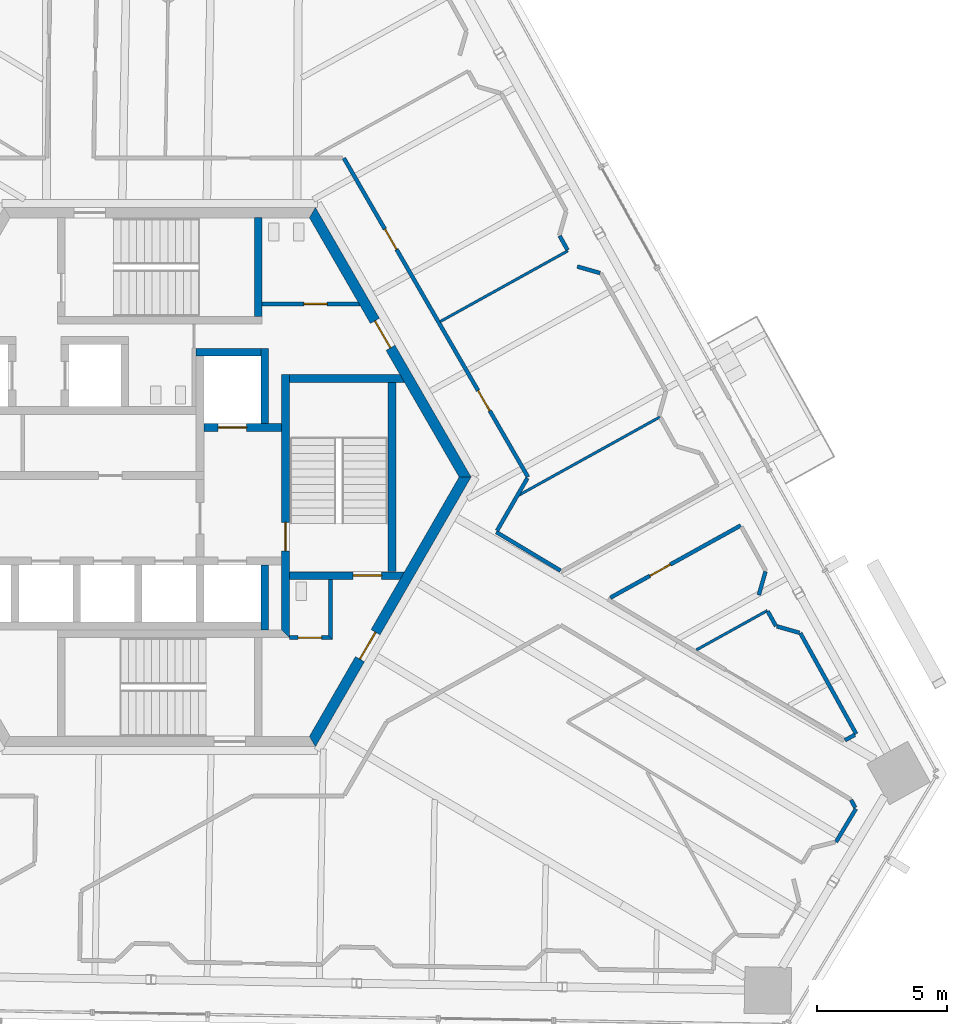
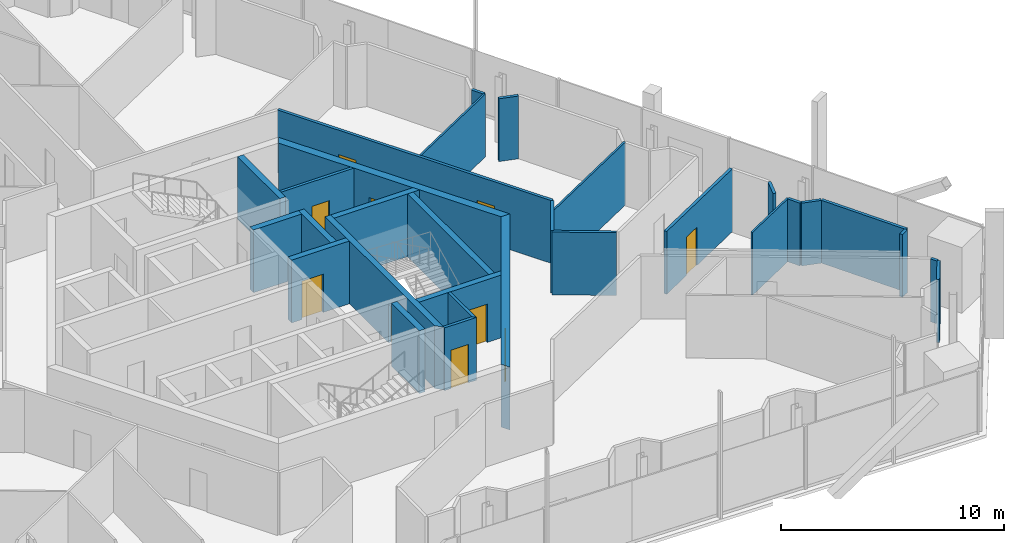
# One storey, part 14 of 22: 30 walls, 10 doors, 10 openings.
"""IFC4 building model written with IfcOpenShell, lengths in metres."""

from ifc_helpers import new_model, si_unit, direction, frame, frame_2d, origin, place, context, subcontext, project, spatial, polyline, rectangle, outline, extrude, source, transform, mapped, material, layer, layer_set, type_object, element, fill, save


model = new_model("IFC4")

# Units and contexts
model_context = context("Model", 3, precision=1e-05, world=origin(), true_north=direction((0.0, 1.0)))
body_context = subcontext(model_context, "Body", "Model", "MODEL_VIEW")
ifc_project = project(units=[si_unit("LENGTHUNIT", "METRE"), si_unit("AREAUNIT", "SQUARE_METRE"), si_unit("VOLUMEUNIT", "CUBIC_METRE"), si_unit("PLANEANGLEUNIT", "RADIAN"), si_unit("MASSUNIT", "GRAM", prefix="KILO")], contexts=[model_context])

# Site, building, storey
site_placement = place(None, origin())
site = spatial("IfcSite", under=ifc_project, at=site_placement, CompositionType="ELEMENT")
building_placement = place(site_placement, origin())
building = spatial("IfcBuilding", under=site, at=building_placement, Name="Triune Harvest Tower", CompositionType="ELEMENT")
storey_placement = place(building_placement, frame((0.0, 0.0, 208.699951171875)))
storey = spatial("IfcBuildingStorey", under=building, at=storey_placement, Name="L54", CompositionType="ELEMENT", Elevation=208.699951171875)

# Walls
ifc_material_1 = material(Name="Gypsum board on steel studs", Category="steel")
ifc_layer_1 = layer(ifc_material_1, 0.14990234375)
ifc_layer_set_1 = layer_set([ifc_layer_1], Name="Gypsum board on steel studs")
wall_type_1 = type_object("IfcWallType", Name="Fire Partition 150 mm", PredefinedType="PARTITIONING", material=ifc_layer_set_1)
wall_1_placement = place(storey_placement, frame((26.644775390625, -12.44775390625, 0.0), z_axis=(0.0, 0.0, 1.0), x_axis=(0.484593914522, -0.874739240007, 0.0)))
element("IfcWall", 1, at=wall_1_placement, inside=storey, type_object=wall_type_1, Name="Partition L54 014", PredefinedType="PARTITIONING", context=body_context, shape_type="SweptSolid", body=[
    extrude(rectangle(XDim=0.3359375, YDim=0.14990234375, at=frame_2d((0.16796875, 0.0))), origin(), (0.0, 0.0, 1.0), 3.43994140625),
])
wall_2_placement = place(storey_placement, frame((15.4150390625, 9.2939453125, 0.0), z_axis=(0.0, 0.0, 1.0), x_axis=(0.484907555914, -0.874565413344, 0.0)))
element("IfcWall", 2, at=wall_2_placement, inside=storey, type_object=wall_type_1, Name="Partition L54 017", PredefinedType="PARTITIONING", context=body_context, shape_type="SweptSolid", body=[
    extrude(rectangle(XDim=0.620361328125, YDim=0.14990234375, at=frame_2d((0.31005859375, 0.0))), origin(), (0.0, 0.0, 1.0), 3.43994140625),
])
wall_3_placement = place(storey_placement, frame((12.970458984375, -2.119384765625, 0.0), z_axis=(0.0, 0.0, 1.0), x_axis=(0.857142379983, -0.515079547679, 0.0)))
element("IfcWall", 3, at=wall_3_placement, inside=storey, type_object=wall_type_1, Name="Partition L54 043", PredefinedType="PARTITIONING", context=body_context, shape_type="SweptSolid", body=[
    extrude(rectangle(XDim=2.889892578125, YDim=0.14990234375, at=frame_2d((1.44482421875, 0.0))), origin(), (0.0, 0.0, 1.0), 3.43994140625),
])
wall_4_placement = place(storey_placement, frame((16.093505859375, 8.11376953125, 0.0), z_axis=(0.0, 0.0, 1.0), x_axis=(0.961352450511, -0.275320660133, 0.0)))
element("IfcWall", 4, at=wall_4_placement, inside=storey, type_object=wall_type_1, Name="Partition L54 052", PredefinedType="PARTITIONING", context=body_context, shape_type="SweptSolid", body=[
    extrude(rectangle(XDim=0.914306640625, YDim=0.14990234375, at=frame_2d((0.45703125, 0.0))), origin(), (0.0, 0.0, 1.0), 3.43994140625),
])
wall_5_placement = place(storey_placement, frame((26.41064453125, -10.14453125, 0.0), z_axis=(0.0, 0.0, 1.0), x_axis=(0.874579518829, 0.484882114792, 0.0)))
element("IfcWall", 5, at=wall_5_placement, inside=storey, type_object=wall_type_1, Name="Partition L54 081", PredefinedType="PARTITIONING", context=body_context, shape_type="SweptSolid", body=[
    extrude(rectangle(XDim=0.43603515625, YDim=0.14990234375, at=frame_2d((0.218017578125, 0.0))), origin(), (0.0, 0.0, 1.0), 3.43994140625),
])

# Wall, opening, door
wall_6_placement = place(storey_placement, frame((17.368408203125, -4.650634765625, 0.0), z_axis=(0.0, 0.0, 1.0), x_axis=(0.874610227065, 0.484826722359, 0.0)))
wall_6 = element("IfcWall", 6, at=wall_6_placement, inside=storey, type_object=wall_type_1, Name="Partition L54 086", PredefinedType="PARTITIONING", context=body_context, shape_type="SweptSolid", body=[
    extrude(rectangle(XDim=5.7412109375, YDim=0.14990234375, at=frame_2d((2.87060546875, 0.0))), origin(), (0.0, 0.0, 1.0), 3.43994140625),
])
opening_1_placement = place(wall_6_placement, frame((1.739990234375, 0.0, 0.0)))
opening_1 = element("IfcOpeningElement", 7, at=opening_1_placement, cuts=wall_6, Name="Opening L54-003", PredefinedType="OPENING", context=body_context, shape_type="SweptSolid", body=[
    extrude(rectangle(XDim=0.89990234375, YDim=2.10009765625, at=frame_2d((0.449951171875, 1.050048828125))), frame((0.0, 0.0849609375, 0.0), z_axis=(0.0, -1.0, 0.0), x_axis=(1.0, 0.0, 0.0)), (0.0, 0.0, 1.0), 0.169921875),
])
ifc_material_2 = material(Name="Timber and steel door set", Category="steel")
door_type_1 = type_object("IfcDoorType", Name="Single leaf door FD30 right hand 900 x 2100", OperationType="SINGLE_SWING_RIGHT", PredefinedType="DOOR", material=ifc_material_2)
door_1_placement = place(opening_1_placement, origin())
door_1 = element("IfcDoor", 8, at=door_1_placement, inside=storey, type_object=door_type_1, Name="Door L54-003 Office 54.03", OperationType="SINGLE_SWING_RIGHT", OverallHeight=2.10009765625, OverallWidth=0.89990234375, PredefinedType="DOOR", context=body_context, shape_type="SweptSolid", body=[
    extrude(rectangle(XDim=0.89990234375, YDim=2.10009765625, at=frame_2d((0.449951171875, 1.050048828125))), frame((0.0, 0.02490234375, 0.0), z_axis=(0.0, -1.0, 0.0), x_axis=(1.0, 0.0, 0.0)), (0.0, 0.0, 1.0), 0.050048828125),
])
fill(opening_1, door_1)

# Walls
wall_7_placement = place(storey_placement, frame((26.06640625, -14.060546875, 0.0), z_axis=(0.0, 0.0, 1.0), x_axis=(0.515074959751, 0.857145136973, 0.0)))
element("IfcWall", 9, at=wall_7_placement, inside=storey, type_object=wall_type_1, Name="Partition L54 102", PredefinedType="PARTITIONING", context=body_context, shape_type="SweptSolid", body=[
    extrude(rectangle(XDim=1.4873046875, YDim=0.14990234375, at=frame_2d((0.74365234375, 0.0))), origin(), (0.0, 0.0, 1.0), 3.43994140625),
])
wall_8_placement = place(storey_placement, frame((13.000244140625, -2.067626953125, 0.0), z_axis=(0.0, 0.0, 1.0), x_axis=(0.499969572873, 0.866042970182, 0.0)))
element("IfcWall", 10, at=wall_8_placement, inside=storey, type_object=wall_type_1, Name="Partition L54 119", PredefinedType="PARTITIONING", context=body_context, shape_type="SweptSolid", body=[
    extrude(rectangle(XDim=2.337646484375, YDim=0.14990234375, at=frame_2d((1.1689453125, 0.0))), origin(), (0.0, 0.0, 1.0), 3.43994140625),
])
ifc_material_3 = material(Name="Gypsum board on steel studs", Category="steel")
ifc_layer_2 = layer(ifc_material_3, 0.10009765625)
ifc_layer_set_2 = layer_set([ifc_layer_2], Name="Gypsum board on steel studs")
wall_type_2 = type_object("IfcWallType", Name="Partition 100 mm", PredefinedType="PARTITIONING", material=ifc_layer_set_2)
wall_9_placement = place(storey_placement, frame((13.766845703125, -0.73974609375, 0.0), z_axis=(0.0, 0.0, 1.0), x_axis=(0.874609788057, 0.484827514313, 0.0)))
element("IfcWall", 11, at=wall_9_placement, inside=storey, type_object=wall_type_2, Name="Partition L54 089", PredefinedType="PARTITIONING", context=body_context, shape_type="SweptSolid", body=[
    extrude(rectangle(XDim=6.30615234375, YDim=0.10009765625, at=frame_2d((3.153076171875, 0.0))), origin(), (0.0, 0.0, 1.0), 3.43994140625),
])
wall_10_placement = place(storey_placement, frame((10.805419921875, 5.989501953125, 0.0), z_axis=(0.0, 0.0, 1.0), x_axis=(0.874612717041, 0.484822230504, 0.0)))
element("IfcWall", 12, at=wall_10_placement, inside=storey, type_object=wall_type_2, Name="Partition L54 091", PredefinedType="PARTITIONING", context=body_context, shape_type="SweptSolid", body=[
    extrude(rectangle(XDim=5.6337890625, YDim=0.10009765625, at=frame_2d((2.81689453125, 0.0))), origin(), (0.0, 0.0, 1.0), 3.43994140625),
])

# Wall, opening, door
ifc_material_4 = material(Name="Concrete 70 MPa", Category="concrete")
ifc_layer_3 = layer(ifc_material_4, 0.39990234375)
ifc_layer_set_3 = layer_set([ifc_layer_3], Name="Concrete 70 MPa")
wall_type_3 = type_object("IfcWallType", Name="Core wall 400", PredefinedType="SHEAR", material=ifc_layer_set_3)
shared_shape_1 = source(origin(), body_context, "Body", "SweptSolid", [
    extrude(outline(polyline([(-0.115478515625, -0.199951171875), (11.884521484375, -0.199951171875), (11.653564453125, 0.199951171875), (0.115478515625, 0.199951171875), (-0.115478515625, -0.199951171875)])), origin(), (0.0, 0.0, 1.0), 3.43994140625),
])
wall_11_placement = place(storey_placement, frame((11.76904296875, 0.0, 0.0), z_axis=(0.0, 0.0, 1.0), x_axis=(-0.499996592174, 0.866027371285, 0.0)))
wall_11 = element("IfcWall", 13, at=wall_11_placement, inside=storey, type_object=wall_type_3, Name="Hexagon 0 wall", PredefinedType="SHEAR", context=body_context, shape_type="MappedRepresentation", body=[
    mapped(shared_shape_1, transform((0.0, 0.0, 0.0), scale=1.0)),
])
opening_2_placement = place(wall_11_placement, frame((5.75048828125, 0.0, 0.0)))
opening_2 = element("IfcOpeningElement", 14, at=opening_2_placement, cuts=wall_11, Name="Opening CD-WCP", PredefinedType="OPENING", context=body_context, shape_type="SweptSolid", body=[
    extrude(rectangle(XDim=1.199951171875, YDim=2.10009765625, at=frame_2d((0.60009765625, 1.050048828125))), frame((0.0, 0.2099609375, 0.0), z_axis=(0.0, -1.0, 0.0), x_axis=(1.0, 0.0, 0.0)), (0.0, 0.0, 1.0), 0.419921875),
])
ifc_material_5 = material(Name="Steel S235", Category="steel")
door_type_2 = type_object("IfcDoorType", Name="Lobby door 1200 FD120", OperationType="SINGLE_SWING_LEFT", PredefinedType="DOOR", material=ifc_material_5)
door_2_placement = place(opening_2_placement, frame((1.199951171875, 0.0, 0.0), z_axis=(0.0, 0.0, 1.0), x_axis=(-1.0, 0.0, 0.0)))
door_2 = element("IfcDoor", 15, at=door_2_placement, inside=storey, type_object=door_type_2, Name="Door CD-WCP", OperationType="SINGLE_SWING_RIGHT", OverallHeight=2.10009765625, OverallWidth=1.199951171875, PredefinedType="DOOR", context=body_context, shape_type="SweptSolid", body=[
    extrude(rectangle(XDim=1.199951171875, YDim=2.10009765625, at=frame_2d((0.60009765625, 1.050048828125))), frame((0.0, 0.02490234375, 0.0), z_axis=(0.0, -1.0, 0.0), x_axis=(1.0, 0.0, 0.0)), (0.0, 0.0, 1.0), 0.050048828125),
])
fill(opening_2, door_2)

wall_12_placement = place(storey_placement, frame((5.884521484375, -10.1923828125, 0.0), z_axis=(0.0, 0.0, 1.0), x_axis=(0.499996592174, 0.866027371285, 0.0)))
wall_12 = element("IfcWall", 16, at=wall_12_placement, inside=storey, type_object=wall_type_3, Name="Hexagon 5 wall", PredefinedType="SHEAR", context=body_context, shape_type="MappedRepresentation", body=[
    mapped(shared_shape_1, transform((0.0, 0.0, 0.0), scale=1.0)),
])
opening_3_placement = place(wall_12_placement, frame((3.66455078125, 0.0, 0.0)))
opening_3 = element("IfcOpeningElement", 17, at=opening_3_placement, cuts=wall_12, Name="Opening CD-DP", PredefinedType="OPENING", context=body_context, shape_type="SweptSolid", body=[
    extrude(rectangle(XDim=1.199951171875, YDim=2.10009765625, at=frame_2d((0.60009765625, 1.050048828125))), frame((0.0, 0.2099609375, 0.0), z_axis=(0.0, -1.0, 0.0), x_axis=(1.0, 0.0, 0.0)), (0.0, 0.0, 1.0), 0.419921875),
])
ifc_material_6 = material(Name="Steel S235", Category="steel")
door_type_3 = type_object("IfcDoorType", Name="Stair door 1200 FD120", OperationType="SINGLE_SWING_LEFT", PredefinedType="DOOR", material=ifc_material_6)
door_3_placement = place(opening_3_placement, frame((1.199951171875, 0.0, 0.0), z_axis=(0.0, 0.0, 1.0), x_axis=(-1.0, 0.0, 0.0)))
door_3 = element("IfcDoor", 18, at=door_3_placement, inside=storey, type_object=door_type_3, Name="Door CD-DP", OperationType="SINGLE_SWING_RIGHT", OverallHeight=2.10009765625, OverallWidth=1.199951171875, PredefinedType="DOOR", context=body_context, shape_type="SweptSolid", body=[
    extrude(rectangle(XDim=1.199951171875, YDim=2.10009765625, at=frame_2d((0.60009765625, 1.050048828125))), frame((0.0, 0.02490234375, 0.0), z_axis=(0.0, -1.0, 0.0), x_axis=(1.0, 0.0, 0.0)), (0.0, 0.0, 1.0), 0.050048828125),
])
fill(opening_3, door_3)

# Walls
ifc_material_7 = material(Name="Concrete 70 MPa", Category="concrete")
ifc_layer_4 = layer(ifc_material_7, 0.300048828125)
ifc_layer_set_4 = layer_set([ifc_layer_4], Name="Concrete 70 MPa")
wall_type_4 = type_object("IfcWallType", Name="Core wall 300", PredefinedType="SHEAR", material=ifc_layer_set_4)
shared_shape_2 = source(origin(), body_context, "Body", "SweptSolid", [
    extrude(rectangle(XDim=2.5, YDim=0.300048828125, at=frame_2d((1.25, 0.0))), origin(), (0.0, 0.0, 1.0), 3.43994140625),
])
for number, where, z_axis, x_axis, name in (
    (19, (1.39990234375, 4.81005859375, 0.0), (0.0, 0.0, 1.0), (1.0, 0.0, 0.0), "Ff1 back wall"),
    (20, (4.050048828125, -5.889892578125, 0.0), (0.0, 0.0, 1.0), (0.0, 1.0, 0.0), "Ff2 east wall"),
):
    element("IfcWall", number, at=place(storey_placement, frame(where, z_axis=z_axis, x_axis=x_axis)), inside=storey, type_object=wall_type_4, Name=name, PredefinedType="SHEAR", context=body_context, shape_type="MappedRepresentation", body=[
        mapped(shared_shape_2, transform((0.0, 0.0, 0.0), scale=1.0)),
    ])

# Wall, opening, door
shared_shape_3 = source(origin(), body_context, "Body", "SweptSolid", [
    extrude(rectangle(XDim=3.0, YDim=0.300048828125, at=frame_2d((1.5, 0.0))), origin(), (0.0, 0.0, 1.0), 3.43994140625),
])
wall_13_placement = place(storey_placement, frame((1.699951171875, 1.909912109375, 0.0), z_axis=(0.0, 0.0, 1.0), x_axis=(1.0, 0.0, 0.0)))
wall_13 = element("IfcWall", 21, at=wall_13_placement, inside=storey, type_object=wall_type_4, Name="Ff1 front wall", PredefinedType="SHEAR", context=body_context, shape_type="MappedRepresentation", body=[
    mapped(shared_shape_3, transform((0.0, 0.0, 0.0), scale=1.0)),
])
opening_4_placement = place(wall_13_placement, frame((0.550048828125, 0.0, 0.0)))
opening_4 = element("IfcOpeningElement", 22, at=opening_4_placement, cuts=wall_13, Name="Opening LD-FF1-54", PredefinedType="OPENING", context=body_context, shape_type="SweptSolid", body=[
    extrude(rectangle(XDim=1.10009765625, YDim=2.10009765625, at=frame_2d((0.550048828125, 1.050048828125))), frame((0.0, 0.16015625, 0.0), z_axis=(0.0, -1.0, 0.0), x_axis=(1.0, 0.0, 0.0)), (0.0, 0.0, 1.0), 0.320068359375),
])
ifc_material_8 = material(Name="Stainless steel AISI 304", Category="steel")
door_type_4 = type_object("IfcDoorType", Name="Landing door 1100 x 2100", OperationType="DOUBLE_DOOR_SLIDING", PredefinedType="DOOR", material=ifc_material_8)
door_4_placement = place(opening_4_placement, origin())
door_4 = element("IfcDoor", 23, at=door_4_placement, inside=storey, type_object=door_type_4, Name="Door LD-FF1-54", OperationType="DOUBLE_DOOR_SLIDING", OverallHeight=2.10009765625, OverallWidth=1.10009765625, PredefinedType="DOOR", context=body_context, shape_type="SweptSolid", body=[
    extrude(rectangle(XDim=1.10009765625, YDim=2.10009765625, at=frame_2d((0.550048828125, 1.050048828125))), frame((0.0, 0.02490234375, 0.0), z_axis=(0.0, -1.0, 0.0), x_axis=(1.0, 0.0, 0.0)), (0.0, 0.0, 1.0), 0.050048828125),
])
fill(opening_4, door_4)

# Wall
shared_shape_4 = source(origin(), body_context, "Body", "SweptSolid", [
    extrude(rectangle(XDim=2.89990234375, YDim=0.300048828125, at=frame_2d((1.449951171875, 0.0))), origin(), (0.0, 0.0, 1.0), 3.43994140625),
])
wall_14_placement = place(storey_placement, frame((4.050048828125, 2.06005859375, 0.0), z_axis=(0.0, 0.0, 1.0), x_axis=(0.0, 1.0, 0.0)))
element("IfcWall", 24, at=wall_14_placement, inside=storey, type_object=wall_type_4, Name="Ff1 east wall", PredefinedType="SHEAR", context=body_context, shape_type="MappedRepresentation", body=[
    mapped(shared_shape_4, transform((0.0, 0.0, 0.0), scale=1.0)),
])

# Wall, opening, door
shared_shape_5 = source(origin(), body_context, "Body", "SweptSolid", [
    extrude(outline(polyline([(-0.14990234375, -0.14990234375), (9.989990234375, -0.14990234375), (9.989990234375, 0.14990234375), (0.14990234375, 0.14990234375), (-0.14990234375, -0.14990234375)])), origin(), (0.0, 0.0, 1.0), 3.43994140625),
])
wall_15_placement = place(storey_placement, frame((4.85009765625, -6.0400390625, 0.0), z_axis=(0.0, 0.0, 1.0), x_axis=(0.0, 1.0, 0.0)))
wall_15 = element("IfcWall", 25, at=wall_15_placement, inside=storey, type_object=wall_type_4, Name="Stair e west wall", PredefinedType="SHEAR", context=body_context, shape_type="MappedRepresentation", body=[
    mapped(shared_shape_5, transform((0.0, 0.0, 0.0), scale=1.0)),
])
opening_5_placement = place(wall_15_placement, frame((3.18994140625, 0.0, 0.0)))
opening_5 = element("IfcOpeningElement", 26, at=opening_5_placement, cuts=wall_15, Name="Opening CD-S3L", PredefinedType="OPENING", context=body_context, shape_type="SweptSolid", body=[
    extrude(rectangle(XDim=1.10009765625, YDim=2.10009765625, at=frame_2d((0.550048828125, 1.050048828125))), frame((0.0, 0.16015625, 0.0), z_axis=(0.0, -1.0, 0.0), x_axis=(1.0, 0.0, 0.0)), (0.0, 0.0, 1.0), 0.320068359375),
])
ifc_material_9 = material(Name="Steel S235", Category="steel")
door_type_5 = type_object("IfcDoorType", Name="Stair door 1100 FD120", OperationType="SINGLE_SWING_LEFT", PredefinedType="DOOR", material=ifc_material_9)
door_5_placement = place(opening_5_placement, frame((1.10009765625, 0.0, 0.0), z_axis=(0.0, 0.0, 1.0), x_axis=(-1.0, 0.0, 0.0)))
door_5 = element("IfcDoor", 27, at=door_5_placement, inside=storey, type_object=door_type_5, Name="Door CD-S3L", OperationType="SINGLE_SWING_RIGHT", OverallHeight=2.10009765625, OverallWidth=1.10009765625, PredefinedType="DOOR", context=body_context, shape_type="SweptSolid", body=[
    extrude(rectangle(XDim=1.10009765625, YDim=2.10009765625, at=frame_2d((0.550048828125, 1.050048828125))), frame((0.0, 0.02490234375, 0.0), z_axis=(0.0, -1.0, 0.0), x_axis=(1.0, 0.0, 0.0)), (0.0, 0.0, 1.0), 0.050048828125),
])
fill(opening_5, door_5)

# Wall
shared_shape_6 = source(origin(), body_context, "Body", "SweptSolid", [
    extrude(outline(polyline([(0.0, -0.14990234375), (0.0, 0.14990234375), (4.260009765625, 0.14990234375), (4.43310546875, -0.14990234375), (0.0, -0.14990234375)])), origin(), (0.0, 0.0, 1.0), 3.43994140625),
])
wall_16_placement = place(storey_placement, frame((5.0, 3.800048828125, 0.0), z_axis=(0.0, 0.0, 1.0), x_axis=(1.0, 0.0, 0.0)))
element("IfcWall", 28, at=wall_16_placement, inside=storey, type_object=wall_type_4, Name="Stair e north wall", PredefinedType="SHEAR", context=body_context, shape_type="MappedRepresentation", body=[
    mapped(shared_shape_6, transform((0.0, 0.0, 0.0), scale=1.0)),
])

# Wall, opening, door
shared_shape_7 = source(origin(), body_context, "Body", "SweptSolid", [
    extrude(outline(polyline([(0.0, -0.14990234375), (0.0, 0.14990234375), (4.43310546875, 0.14990234375), (4.260009765625, -0.14990234375), (0.0, -0.14990234375)])), origin(), (0.0, 0.0, 1.0), 3.43994140625),
])
wall_17_placement = place(storey_placement, frame((5.0, -3.800048828125, 0.0), z_axis=(0.0, 0.0, 1.0), x_axis=(1.0, 0.0, 0.0)))
wall_17 = element("IfcWall", 29, at=wall_17_placement, inside=storey, type_object=wall_type_4, Name="Stair e south wall", PredefinedType="SHEAR", context=body_context, shape_type="MappedRepresentation", body=[
    mapped(shared_shape_7, transform((0.0, 0.0, 0.0), scale=1.0)),
])
opening_6_placement = place(wall_17_placement, frame((2.449951171875, 0.0, 0.0)))
opening_6 = element("IfcOpeningElement", 30, at=opening_6_placement, cuts=wall_17, Name="Opening CD-S3D", PredefinedType="OPENING", context=body_context, shape_type="SweptSolid", body=[
    extrude(rectangle(XDim=1.10009765625, YDim=2.10009765625, at=frame_2d((0.550048828125, 1.050048828125))), frame((0.0, 0.16015625, 0.0), z_axis=(0.0, -1.0, 0.0), x_axis=(1.0, 0.0, 0.0)), (0.0, 0.0, 1.0), 0.320068359375),
])
door_6_placement = place(opening_6_placement, frame((1.10009765625, 0.0, 0.0), z_axis=(0.0, 0.0, 1.0), x_axis=(-1.0, 0.0, 0.0)))
door_6 = element("IfcDoor", 31, at=door_6_placement, inside=storey, type_object=door_type_5, Name="Door CD-S3D", OperationType="SINGLE_SWING_RIGHT", OverallHeight=2.10009765625, OverallWidth=1.10009765625, PredefinedType="DOOR", context=body_context, shape_type="SweptSolid", body=[
    extrude(rectangle(XDim=1.10009765625, YDim=2.10009765625, at=frame_2d((0.550048828125, 1.050048828125))), frame((0.0, 0.02490234375, 0.0), z_axis=(0.0, -1.0, 0.0), x_axis=(1.0, 0.0, 0.0)), (0.0, 0.0, 1.0), 0.050048828125),
])
fill(opening_6, door_6)

# Walls
shared_shape_8 = source(origin(), body_context, "Body", "SweptSolid", [
    extrude(rectangle(XDim=7.2998046875, YDim=0.300048828125, at=frame_2d((3.64990234375, 0.0))), origin(), (0.0, 0.0, 1.0), 3.43994140625),
])
wall_18_placement = place(storey_placement, frame((8.949951171875, -3.64990234375, 0.0), z_axis=(0.0, 0.0, 1.0), x_axis=(0.0, 1.0, 0.0)))
element("IfcWall", 32, at=wall_18_placement, inside=storey, type_object=wall_type_4, Name="Stair e east wall", PredefinedType="SHEAR", context=body_context, shape_type="MappedRepresentation", body=[
    mapped(shared_shape_8, transform((0.0, 0.0, 0.0), scale=1.0)),
])
shared_shape_9 = source(origin(), body_context, "Body", "SweptSolid", [
    extrude(outline(polyline([(0.0, -0.14990234375), (0.0, 0.14990234375), (3.80419921875, 0.14990234375), (3.80419921875, -0.14990234375), (0.0, -0.14990234375)])), origin(), (0.0, 0.0, 1.0), 3.43994140625),
])
wall_19_placement = place(storey_placement, frame((3.800048828125, 6.18994140625, 0.0), z_axis=(0.0, 0.0, 1.0), x_axis=(0.0, 1.0, 0.0)))
element("IfcWall", 33, at=wall_19_placement, inside=storey, type_object=wall_type_4, Name="Stair n east wall", PredefinedType="SHEAR", context=body_context, shape_type="MappedRepresentation", body=[
    mapped(shared_shape_9, transform((0.0, 0.0, 0.0), scale=1.0)),
])

# Wall, opening, door
ifc_material_10 = material(Name="Concrete masonry unit", Category="masonry")
ifc_layer_5 = layer(ifc_material_10, 0.14990234375)
ifc_layer_set_5 = layer_set([ifc_layer_5], Name="Concrete masonry unit")
wall_type_5 = type_object("IfcWallType", Name="Block partition 150 unrated", PredefinedType="PARTITIONING", material=ifc_layer_set_5)
shared_shape_10 = source(origin(), body_context, "Body", "SweptSolid", [
    extrude(outline(polyline([(0.0, -0.074951171875), (0.0, 0.074951171875), (3.693359375, 0.074951171875), (3.77978515625, -0.074951171875), (0.0, -0.074951171875)])), origin(), (0.0, 0.0, 1.0), 3.43994140625),
])
wall_20_placement = place(storey_placement, frame((3.949951171875, 6.675048828125, 0.0), z_axis=(0.0, 0.0, 1.0), x_axis=(1.0, 0.0, 0.0)))
wall_20 = element("IfcWall", 34, at=wall_20_placement, inside=storey, type_object=wall_type_5, Name="Wc women south wall", PredefinedType="PARTITIONING", context=body_context, shape_type="MappedRepresentation", body=[
    mapped(shared_shape_10, transform((0.0, 0.0, 0.0), scale=1.0)),
])
opening_7_placement = place(wall_20_placement, frame((1.60009765625, 0.0, 0.0)))
opening_7 = element("IfcOpeningElement", 35, at=opening_7_placement, cuts=wall_20, Name="Opening CD-WW", PredefinedType="OPENING", context=body_context, shape_type="SweptSolid", body=[
    extrude(rectangle(XDim=0.89990234375, YDim=2.10009765625, at=frame_2d((0.449951171875, 1.050048828125))), frame((0.0, 0.0849609375, 0.0), z_axis=(0.0, -1.0, 0.0), x_axis=(1.0, 0.0, 0.0)), (0.0, 0.0, 1.0), 0.169921875),
])
ifc_material_11 = material(Name="Timber C24", Category="wood")
door_type_6 = type_object("IfcDoorType", Name="WC door 900", OperationType="SINGLE_SWING_LEFT", PredefinedType="DOOR", material=ifc_material_11)
door_7_placement = place(opening_7_placement, origin())
door_7 = element("IfcDoor", 36, at=door_7_placement, inside=storey, type_object=door_type_6, Name="Door CD-WW", OperationType="SINGLE_SWING_LEFT", OverallHeight=2.10009765625, OverallWidth=0.89990234375, PredefinedType="DOOR", context=body_context, shape_type="SweptSolid", body=[
    extrude(rectangle(XDim=0.89990234375, YDim=2.10009765625, at=frame_2d((0.449951171875, 1.050048828125))), frame((0.0, 0.02490234375, 0.0), z_axis=(0.0, -1.0, 0.0), x_axis=(1.0, 0.0, 0.0)), (0.0, 0.0, 1.0), 0.050048828125),
])
fill(opening_7, door_7)

shared_shape_11 = source(origin(), body_context, "Body", "SweptSolid", [
    extrude(outline(polyline([(0.0, -0.074951171875), (1.64990234375, -0.074951171875), (1.5, 0.074951171875), (0.0, 0.074951171875), (0.0, -0.074951171875)])), origin(), (0.0, 0.0, 1.0), 3.43994140625),
])
wall_21_placement = place(storey_placement, frame((5.0, -6.18994140625, 0.0), z_axis=(0.0, 0.0, 1.0), x_axis=(1.0, 0.0, 0.0)))
wall_21 = element("IfcWall", 37, at=wall_21_placement, inside=storey, type_object=wall_type_5, Name="Wc acc south wall", PredefinedType="PARTITIONING", context=body_context, shape_type="MappedRepresentation", body=[
    mapped(shared_shape_11, transform((0.0, 0.0, 0.0), scale=1.0)),
])
opening_8_placement = place(wall_21_placement, frame((0.33740234375, 0.0, 0.0)))
opening_8 = element("IfcOpeningElement", 38, at=opening_8_placement, cuts=wall_21, Name="Opening CD-WA", PredefinedType="OPENING", context=body_context, shape_type="SweptSolid", body=[
    extrude(rectangle(XDim=0.89990234375, YDim=2.10009765625, at=frame_2d((0.449951171875, 1.050048828125))), frame((0.0, 0.0849609375, 0.0), z_axis=(0.0, -1.0, 0.0), x_axis=(1.0, 0.0, 0.0)), (0.0, 0.0, 1.0), 0.169921875),
])
door_8_placement = place(opening_8_placement, origin())
door_8 = element("IfcDoor", 39, at=door_8_placement, inside=storey, type_object=door_type_6, Name="Door CD-WA", OperationType="SINGLE_SWING_LEFT", OverallHeight=2.10009765625, OverallWidth=0.89990234375, PredefinedType="DOOR", context=body_context, shape_type="SweptSolid", body=[
    extrude(rectangle(XDim=0.89990234375, YDim=2.10009765625, at=frame_2d((0.449951171875, 1.050048828125))), frame((0.0, 0.02490234375, 0.0), z_axis=(0.0, -1.0, 0.0), x_axis=(1.0, 0.0, 0.0)), (0.0, 0.0, 1.0), 0.050048828125),
])
fill(opening_8, door_8)

# Wall
shared_shape_12 = source(origin(), body_context, "Body", "SweptSolid", [
    extrude(outline(polyline([(-0.074951171875, -0.074951171875), (2.239990234375, -0.074951171875), (2.239990234375, 0.074951171875), (0.074951171875, 0.074951171875), (-0.074951171875, -0.074951171875)])), origin(), (0.0, 0.0, 1.0), 3.43994140625),
])
wall_22_placement = place(storey_placement, frame((6.574951171875, -6.18994140625, 0.0), z_axis=(0.0, 0.0, 1.0), x_axis=(0.0, 1.0, 0.0)))
element("IfcWall", 40, at=wall_22_placement, inside=storey, type_object=wall_type_5, Name="Wc acc east wall", PredefinedType="PARTITIONING", context=body_context, shape_type="MappedRepresentation", body=[
    mapped(shared_shape_12, transform((0.0, 0.0, 0.0), scale=1.0)),
])

# Wall, openings, doors
shared_shape_13 = source(origin(), body_context, "Body", "SweptSolid", [
    extrude(rectangle(XDim=14.19384765625, YDim=0.14990234375, at=frame_2d((7.096923828125, 0.0))), origin(), (0.0, 0.0, 1.0), 3.43994140625),
])
wall_23_placement = place(storey_placement, frame((7.096923828125, 12.292236328125, 0.0), z_axis=(0.0, 0.0, 1.0), x_axis=(0.499999887723, -0.866025468608, 0.0)))
wall_23 = element("IfcWall", 41, at=wall_23_placement, inside=storey, type_object=wall_type_1, Name="Partition L54 028", PredefinedType="PARTITIONING", context=body_context, shape_type="MappedRepresentation", body=[
    mapped(shared_shape_13, transform((0.0, 0.0, 0.0), scale=1.0)),
])
opening_9_placement = place(wall_23_placement, frame((10.343994140625, 0.0, 0.0)))
opening_9 = element("IfcOpeningElement", 42, at=opening_9_placement, cuts=wall_23, Name="Opening L54-004", PredefinedType="OPENING", context=body_context, shape_type="SweptSolid", body=[
    extrude(rectangle(XDim=0.89990234375, YDim=2.10009765625, at=frame_2d((0.449951171875, 1.050048828125))), frame((0.0, 0.0849609375, 0.0), z_axis=(0.0, -1.0, 0.0), x_axis=(1.0, 0.0, 0.0)), (0.0, 0.0, 1.0), 0.169921875),
])
opening_10_placement = place(wall_23_placement, frame((3.16162109375, 0.0, 0.0)))
opening_10 = element("IfcOpeningElement", 43, at=opening_10_placement, cuts=wall_23, Name="Opening L54-005", PredefinedType="OPENING", context=body_context, shape_type="SweptSolid", body=[
    extrude(rectangle(XDim=0.89990234375, YDim=2.10009765625, at=frame_2d((0.449951171875, 1.050048828125))), frame((0.0, 0.0849609375, 0.0), z_axis=(0.0, -1.0, 0.0), x_axis=(1.0, 0.0, 0.0)), (0.0, 0.0, 1.0), 0.169921875),
])
ifc_material_12 = material(Name="Timber and steel door set", Category="steel")
door_type_7 = type_object("IfcDoorType", Name="Single leaf door FD30 left hand 900 x 2100", OperationType="SINGLE_SWING_LEFT", PredefinedType="DOOR", material=ifc_material_12)
door_9_placement = place(opening_10_placement, origin())
door_9 = element("IfcDoor", 44, at=door_9_placement, inside=storey, type_object=door_type_7, Name="Door L54-005 Project Room 54.05", OperationType="SINGLE_SWING_LEFT", OverallHeight=2.10009765625, OverallWidth=0.89990234375, PredefinedType="DOOR", context=body_context, shape_type="SweptSolid", body=[
    extrude(rectangle(XDim=0.89990234375, YDim=2.10009765625, at=frame_2d((0.449951171875, 1.050048828125))), frame((0.0, 0.02490234375, 0.0), z_axis=(0.0, -1.0, 0.0), x_axis=(1.0, 0.0, 0.0)), (0.0, 0.0, 1.0), 0.050048828125),
])
fill(opening_10, door_9)
door_10_placement = place(opening_9_placement, origin())
door_10 = element("IfcDoor", 45, at=door_10_placement, inside=storey, type_object=door_type_1, Name="Door L54-004 Project Room 54.04", OperationType="SINGLE_SWING_RIGHT", OverallHeight=2.10009765625, OverallWidth=0.89990234375, PredefinedType="DOOR", context=body_context, shape_type="SweptSolid", body=[
    extrude(rectangle(XDim=0.89990234375, YDim=2.10009765625, at=frame_2d((0.449951171875, 1.050048828125))), frame((0.0, 0.02490234375, 0.0), z_axis=(0.0, -1.0, 0.0), x_axis=(1.0, 0.0, 0.0)), (0.0, 0.0, 1.0), 0.050048828125),
])
fill(opening_9, door_10)

# Walls
shared_shape_14 = source(origin(), body_context, "Body", "SweptSolid", [
    extrude(rectangle(XDim=0.9140625, YDim=0.14990234375, at=frame_2d((0.45703125, 0.0))), origin(), (0.0, 0.0, 1.0), 3.43994140625),
])
wall_24_placement = place(storey_placement, frame((23.780029296875, -5.752685546875, 0.0), z_axis=(0.0, 0.0, 1.0), x_axis=(0.961261458393, -0.275638184235, 0.0)))
element("IfcWall", 46, at=wall_24_placement, inside=storey, type_object=wall_type_1, Name="Partition L54 050", PredefinedType="PARTITIONING", context=body_context, shape_type="MappedRepresentation", body=[
    mapped(shared_shape_14, transform((0.0, 0.0, 0.0), scale=1.0)),
])
shared_shape_15 = source(origin(), body_context, "Body", "SweptSolid", [
    extrude(rectangle(XDim=0.657958984375, YDim=0.14990234375, at=frame_2d((0.3291015625, 0.0))), origin(), (0.0, 0.0, 1.0), 3.43994140625),
])
wall_25_placement = place(storey_placement, frame((23.431396484375, -5.1689453125, 0.0), z_axis=(0.0, 0.0, 1.0), x_axis=(0.484665846155, -0.874699386973, 0.0)))
element("IfcWall", 47, at=wall_25_placement, inside=storey, type_object=wall_type_1, Name="Partition L54 019", PredefinedType="PARTITIONING", context=body_context, shape_type="MappedRepresentation", body=[
    mapped(shared_shape_15, transform((0.0, 0.0, 0.0), scale=1.0)),
])
shared_shape_16 = source(origin(), body_context, "Body", "SweptSolid", [
    extrude(rectangle(XDim=4.44873046875, YDim=0.14990234375, at=frame_2d((2.224365234375, 0.0))), origin(), (0.0, 0.0, 1.0), 3.43994140625),
])
wall_26_placement = place(storey_placement, frame((24.6875, -6.012939453125, 0.0), z_axis=(0.0, 0.0, 1.0), x_axis=(0.484785370466, -0.874633148573, 0.0)))
element("IfcWall", 48, at=wall_26_placement, inside=storey, type_object=wall_type_1, Name="Partition L54 026", PredefinedType="PARTITIONING", context=body_context, shape_type="MappedRepresentation", body=[
    mapped(shared_shape_16, transform((0.0, 0.0, 0.0), scale=1.0)),
])
shared_shape_17 = source(origin(), body_context, "Body", "SweptSolid", [
    extrude(rectangle(XDim=0.944091796875, YDim=0.14990234375, at=frame_2d((0.47216796875, 0.0))), origin(), (0.0, 0.0, 1.0), 3.43994140625),
])
wall_27_placement = place(storey_placement, frame((23.08740234375, -4.547119140625, 0.0), z_axis=(0.0, 0.0, 1.0), x_axis=(0.275677357934, 0.961250224615, 0.0)))
element("IfcWall", 49, at=wall_27_placement, inside=storey, type_object=wall_type_1, Name="Partition L54 122", PredefinedType="PARTITIONING", context=body_context, shape_type="MappedRepresentation", body=[
    mapped(shared_shape_17, transform((0.0, 0.0, 0.0), scale=1.0)),
])
shared_shape_18 = source(origin(), body_context, "Body", "SweptSolid", [
    extrude(rectangle(XDim=3.128662109375, YDim=0.10009765625, at=frame_2d((1.564453125, 0.0))), origin(), (0.0, 0.0, 1.0), 3.43994140625),
])
wall_28_placement = place(storey_placement, frame((20.682861328125, -6.66259765625, 0.0), z_axis=(0.0, 0.0, 1.0), x_axis=(0.874609643051, 0.484827775899, 0.0)))
element("IfcWall", 50, at=wall_28_placement, inside=storey, type_object=wall_type_2, Name="Partition L54 083", PredefinedType="PARTITIONING", context=body_context, shape_type="MappedRepresentation", body=[
    mapped(shared_shape_18, transform((0.0, 0.0, 0.0), scale=1.0)),
])

save(model, "model.ifc")
